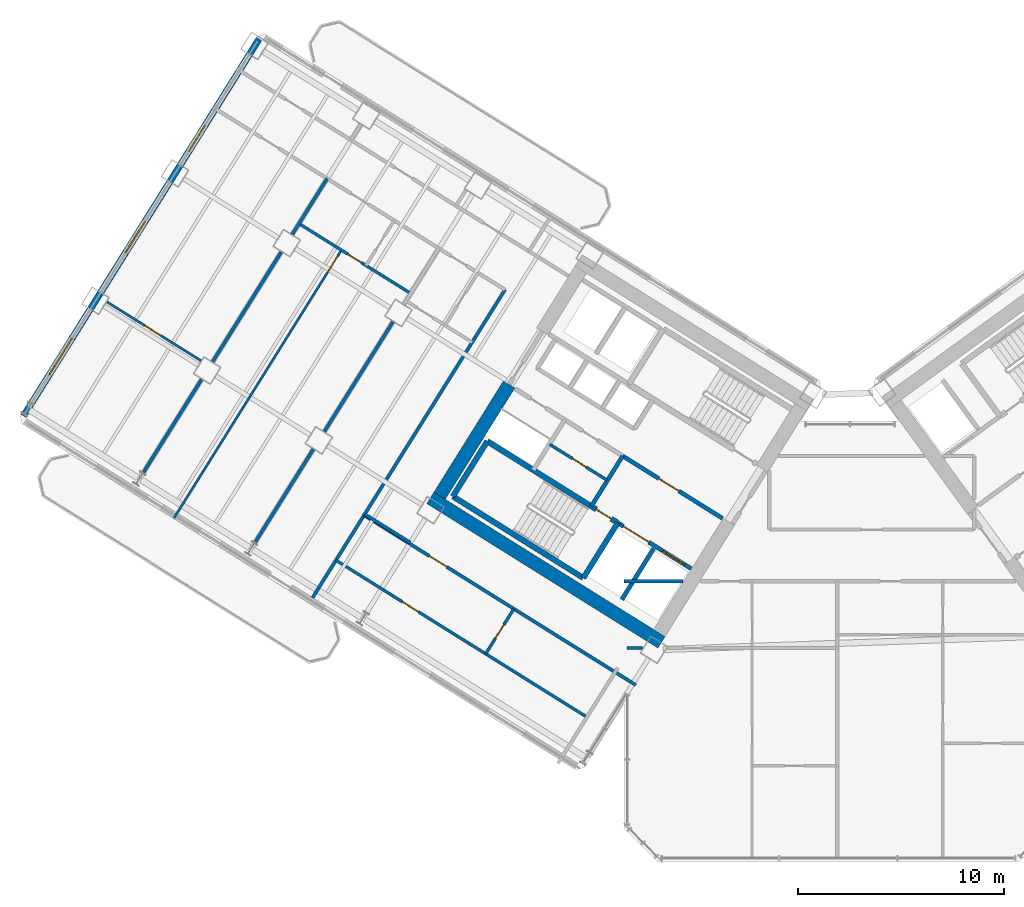
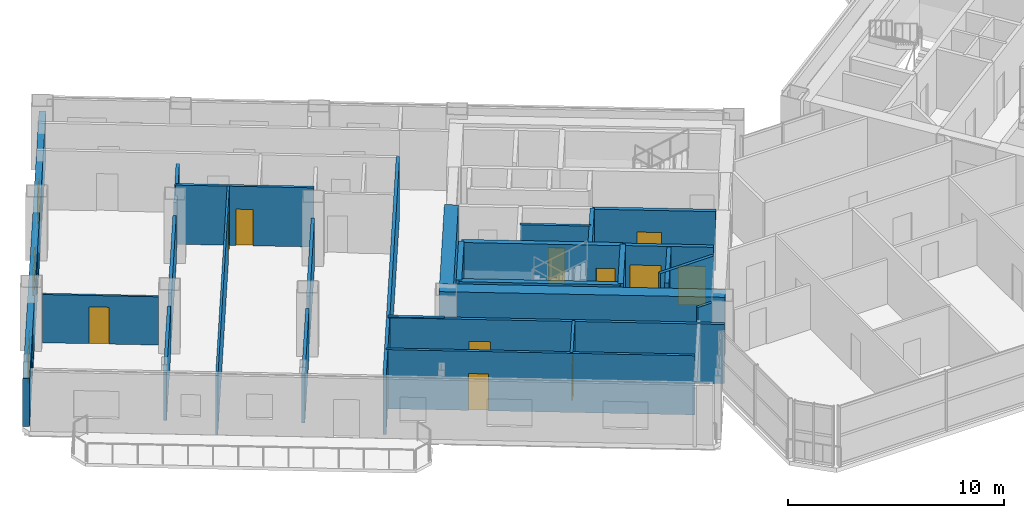
# One storey, part 15 of 28: 27 walls, 11 doors, 3 windows, 14 openings.
"""IFC4 building model written with IfcOpenShell, lengths in metres."""

from ifc_helpers import new_model, si_unit, direction, frame, frame_2d, origin, place, context, subcontext, project, spatial, rectangle, extrude, source, transform, mapped, material, layer, layer_set, type_object, element, fill, save


model = new_model("IFC4")

# Units and contexts
model_context = context("Model", 3, precision=1e-05, world=origin(), true_north=direction((0.0, 1.0)))
body_context = subcontext(model_context, "Body", "Model", "MODEL_VIEW")
ifc_project = project(units=[si_unit("LENGTHUNIT", "METRE"), si_unit("AREAUNIT", "SQUARE_METRE"), si_unit("VOLUMEUNIT", "CUBIC_METRE"), si_unit("PLANEANGLEUNIT", "RADIAN"), si_unit("MASSUNIT", "GRAM", prefix="KILO")], contexts=[model_context])

# Site, building, storey
site_placement = place(None, origin())
site = spatial("IfcSite", under=ifc_project, at=site_placement, CompositionType="ELEMENT")
building_placement = place(site_placement, origin())
building = spatial("IfcBuilding", under=site, at=building_placement, Name="Tlacorven Tower", CompositionType="ELEMENT")
storey_placement = place(building_placement, frame((0.0, 0.0, 34.800048828125)))
storey = spatial("IfcBuildingStorey", under=building, at=storey_placement, Name="L08", CompositionType="ELEMENT", Elevation=34.800048828125)

# Walls
ifc_material_1 = material(Name="Concrete C60/75", Category="concrete")
ifc_layer_1 = layer(ifc_material_1, 0.64990234375)
ifc_layer_set_1 = layer_set([ifc_layer_1], Name="Concrete C60/75")
wall_type_1 = type_object("IfcWallType", Name="WL-COR-650", PredefinedType="SHEAR", material=ifc_layer_set_1)
wall_1_placement = place(storey_placement, frame((33.40869140625, 12.449951171875, 0.0), z_axis=(0.0, 0.0, 1.0), x_axis=(-0.848051132073, 0.529914405721, 0.0)))
element("IfcWall", 1, at=wall_1_placement, inside=storey, type_object=wall_type_1, Name="L08 W core shear wall S2", PredefinedType="SHEAR", context=body_context, shape_type="SweptSolid", body=[
    extrude(rectangle(XDim=13.239990234375, YDim=0.64990234375, at=frame_2d((6.6201171875, 0.0))), origin(), (0.0, 0.0, 1.0), 3.349853515625),
])
wall_2_placement = place(storey_placement, frame((26.006591796875, 24.975830078125, 0.0), z_axis=(0.0, 0.0, 1.0), x_axis=(-0.529916319127, -0.848049936456, 0.0)))
element("IfcWall", 2, at=wall_2_placement, inside=storey, type_object=wall_type_1, Name="L08 W core end wall E2.2", PredefinedType="SHEAR", context=body_context, shape_type="SweptSolid", body=[
    extrude(rectangle(XDim=6.375, YDim=0.64990234375, at=frame_2d((3.1875, 0.0))), origin(), (0.0, 0.0, 1.0), 3.349853515625),
])
ifc_material_2 = material(Name="Gypsum plasterboard acoustic partition", Category="gypsum")
ifc_layer_2 = layer(ifc_material_2, 0.159912109375)
ifc_layer_set_2 = layer_set([ifc_layer_2], Name="Gypsum plasterboard acoustic partition")
wall_type_2 = type_object("IfcWallType", Name="WL-DEM-160", PredefinedType="PARTITIONING", material=ifc_layer_set_2)
wall_3_placement = place(storey_placement, frame((21.20556640625, 17.29248046875, 0.0), z_axis=(0.0, 0.0, 1.0), x_axis=(-0.848050851465, 0.529914854792, 0.0)))
element("IfcWall", 3, at=wall_3_placement, inside=storey, type_object=wall_type_2, Name="L08 partition 51", PredefinedType="PARTITIONING", context=body_context, shape_type="SweptSolid", body=[
    extrude(rectangle(XDim=2.60986328125, YDim=0.159912109375, at=frame_2d((1.304931640625, 0.0))), origin(), (0.0, 0.0, 1.0), 3.33984375),
])
wall_4_placement = place(storey_placement, frame((25.806884765625, 29.58154296875, 0.0), z_axis=(0.0, 0.0, 1.0), x_axis=(-0.529918119251, -0.84804881162, 0.0)))
element("IfcWall", 4, at=wall_4_placement, inside=storey, type_object=wall_type_2, Name="L08 partition 53", PredefinedType="PARTITIONING", context=body_context, shape_type="SweptSolid", body=[
    extrude(rectangle(XDim=17.64990234375, YDim=0.159912109375, at=frame_2d((8.824951171875, 0.0))), origin(), (0.0, 0.0, 1.0), 3.33984375),
])
wall_5_placement = place(storey_placement, frame((20.360595703125, 28.017822265625, 0.0), z_axis=(0.0, 0.0, 1.0), x_axis=(-0.529915015264, -0.848050751193, 0.0)))
element("IfcWall", 5, at=wall_5_placement, inside=storey, type_object=wall_type_2, Name="L08 WN Demising Wall 1", PredefinedType="PARTITIONING", context=body_context, shape_type="SweptSolid", body=[
    extrude(rectangle(XDim=6.27587890625, YDim=0.159912109375, at=frame_2d((3.137939453125, 0.0))), origin(), (0.0, 0.0, 1.0), 2.724853515625),
])
wall_6_placement = place(storey_placement, frame((16.4921875, 21.8271484375, 0.0), z_axis=(0.0, 0.0, 1.0), x_axis=(-0.529904608059, -0.848057254175, 0.0)))
element("IfcWall", 6, at=wall_6_placement, inside=storey, type_object=wall_type_2, Name="L08 WN Demising Wall 1", PredefinedType="PARTITIONING", context=body_context, shape_type="SweptSolid", body=[
    extrude(rectangle(XDim=5.350830078125, YDim=0.159912109375, at=frame_2d((2.67529296875, 0.0))), origin(), (0.0, 0.0, 1.0), 2.724853515625),
])
wall_7_placement = place(storey_placement, frame((17.165283203125, 34.9814453125, 0.0), z_axis=(0.0, 0.0, 1.0), x_axis=(-0.529930102756, -0.848041323399, 0.0)))
element("IfcWall", 7, at=wall_7_placement, inside=storey, type_object=wall_type_2, Name="L08 WN Demising Wall 2", PredefinedType="PARTITIONING", context=body_context, shape_type="SweptSolid", body=[
    extrude(rectangle(XDim=3.18798828125, YDim=0.159912109375, at=frame_2d((1.593994140625, 0.0))), origin(), (0.0, 0.0, 1.0), 2.724853515625),
])
wall_8_placement = place(storey_placement, frame((14.93310546875, 31.409423828125, 0.0), z_axis=(0.0, 0.0, 1.0), x_axis=(-0.529897533635, -0.848061674554, 0.0)))
element("IfcWall", 8, at=wall_8_placement, inside=storey, type_object=wall_type_2, Name="L08 WN Demising Wall 2", PredefinedType="PARTITIONING", context=body_context, shape_type="SweptSolid", body=[
    extrude(rectangle(XDim=6.276123046875, YDim=0.159912109375, at=frame_2d((3.13818359375, 0.0))), origin(), (0.0, 0.0, 1.0), 2.724853515625),
])
wall_9_placement = place(storey_placement, frame((11.064697265625, 25.218505859375, 0.0), z_axis=(0.0, 0.0, 1.0), x_axis=(-0.529904608059, -0.848057254175, 0.0)))
element("IfcWall", 9, at=wall_9_placement, inside=storey, type_object=wall_type_2, Name="L08 WN Demising Wall 2", PredefinedType="PARTITIONING", context=body_context, shape_type="SweptSolid", body=[
    extrude(rectangle(XDim=5.350830078125, YDim=0.159912109375, at=frame_2d((2.67529296875, 0.0))), origin(), (0.0, 0.0, 1.0), 2.724853515625),
])

# Wall, opening, door
wall_10_placement = place(storey_placement, frame((32.164306640625, 10.373779296875, 0.0), z_axis=(0.0, 0.0, 1.0), x_axis=(-0.848044107957, 0.529925646633, 0.0)))
wall_10 = element("IfcWall", 10, at=wall_10_placement, inside=storey, type_object=wall_type_2, Name="L08 partition 66", PredefinedType="PARTITIONING", context=body_context, shape_type="SweptSolid", body=[
    extrude(rectangle(XDim=15.570068359375, YDim=0.159912109375, at=frame_2d((7.78515625, 0.0))), origin(), (0.0, 0.0, 1.0), 3.33984375),
])
opening_1_placement = place(wall_10_placement, frame((10.830078125, 0.0, 0.0)))
opening_1 = element("IfcOpeningElement", 11, at=opening_1_placement, cuts=wall_10, Name="Opening D11", PredefinedType="OPENING", context=body_context, shape_type="SweptSolid", body=[
    extrude(rectangle(XDim=1.0, YDim=2.10009765625, at=frame_2d((0.5, 1.050048828125))), frame((0.0, 0.08984375, 0.0), z_axis=(0.0, -1.0, 0.0), x_axis=(1.0, 0.0, 0.0)), (0.0, 0.0, 1.0), 0.179931640625),
])
ifc_material_3 = material(Name="Fire-rated steel door assembly", Category="steel")
door_type_1 = type_object("IfcDoorType", Name="DR-FLT-FD60-1000", OperationType="NOTDEFINED", PredefinedType="DOOR", material=ifc_material_3)
shared_shape_1 = source(origin(), body_context, "Body", "SweptSolid", [
    extrude(rectangle(XDim=1.0, YDim=2.10009765625, at=frame_2d((0.5, 1.050048828125))), frame((0.0, 0.02490234375, 0.0), z_axis=(0.0, -1.0, 0.0), x_axis=(1.0, 0.0, 0.0)), (0.0, 0.0, 1.0), 0.050048828125),
])
door_1_placement = place(opening_1_placement, origin())
door_1 = element("IfcDoor", 12, at=door_1_placement, inside=storey, type_object=door_type_1, Name="L08 door 035", OperationType="SINGLE_SWING_LEFT", OverallHeight=2.10009765625, OverallWidth=1.0, PredefinedType="DOOR", context=body_context, shape_type="MappedRepresentation", body=[
    mapped(shared_shape_1, transform((0.0, 0.0, 0.0), scale=1.0)),
])
fill(opening_1, door_1)

# Wall
wall_11_placement = place(storey_placement, frame((31.60009765625, 15.419921875, 0.0), z_axis=(0.0, 0.0, 1.0), x_axis=(1.0, 0.0, 0.0)))
element("IfcWall", 13, at=wall_11_placement, inside=storey, type_object=wall_type_2, Name="L08 Knuckle Corridor South Wall", PredefinedType="PARTITIONING", context=body_context, shape_type="SweptSolid", body=[
    extrude(rectangle(XDim=2.8662109375, YDim=0.159912109375, at=frame_2d((1.43310546875, 0.0))), origin(), (0.0, 0.0, 1.0), 3.33984375),
])

# Wall, openings, windows
ifc_material_4 = material(Name="Precast concrete C45/55", Category="concrete")
ifc_layer_3 = layer(ifc_material_4, 0.320068359375)
ifc_layer_set_3 = layer_set([ifc_layer_3], Name="Precast concrete C45/55")
wall_type_3 = type_object("IfcWallType", Name="WL-EXT-320", PredefinedType="STANDARD", material=ifc_layer_set_3)
wall_12_placement = place(storey_placement, frame((2.41455078125, 23.452392578125, 0.0), z_axis=(0.0, 0.0, 1.0), x_axis=(0.52991049553, 0.848053575387, 0.0)))
wall_12 = element("IfcWall", 14, at=wall_12_placement, inside=storey, type_object=wall_type_3, Name="L08 Masonry-Frame Recessed Facade Wall 2", PredefinedType="STANDARD", context=body_context, shape_type="SweptSolid", body=[
    extrude(rectangle(XDim=21.58740234375, YDim=0.320068359375, at=frame_2d((10.793701171875, 0.0))), origin(), (0.0, 0.0, 1.0), 2.724853515625),
])
opening_2_placement = place(wall_12_placement, frame((2.356201171875, 0.0, 0.800048828125)))
opening_2 = element("IfcOpeningElement", 15, at=opening_2_placement, cuts=wall_12, Name="Opening WN04", PredefinedType="OPENING", context=body_context, shape_type="SweptSolid", body=[
    extrude(rectangle(XDim=2.10009765625, YDim=1.550048828125, at=frame_2d((1.050048828125, 0.77490234375))), frame((0.0, 0.169921875, 0.0), z_axis=(0.0, -1.0, 0.0), x_axis=(1.0, 0.0, 0.0)), (0.0, 0.0, 1.0), 0.340087890625),
])
opening_3_placement = place(wall_12_placement, frame((9.34375, 0.0, 0.85009765625)))
opening_3 = element("IfcOpeningElement", 16, at=opening_3_placement, cuts=wall_12, Name="Opening WN01", PredefinedType="OPENING", context=body_context, shape_type="SweptSolid", body=[
    extrude(rectangle(XDim=1.800048828125, YDim=1.5, at=frame_2d((0.89990234375, 0.75))), frame((0.0, 0.169921875, 0.0), z_axis=(0.0, -1.0, 0.0), x_axis=(1.0, 0.0, 0.0)), (0.0, 0.0, 1.0), 0.340087890625),
])
opening_4_placement = place(wall_12_placement, frame((15.15380859375, 0.0, 0.85009765625)))
opening_4 = element("IfcOpeningElement", 17, at=opening_4_placement, cuts=wall_12, Name="Opening WN02", PredefinedType="OPENING", context=body_context, shape_type="SweptSolid", body=[
    extrude(rectangle(XDim=1.5, YDim=1.5, at=frame_2d((0.75, 0.75))), frame((0.0, 0.169921875, 0.0), z_axis=(0.0, -1.0, 0.0), x_axis=(1.0, 0.0, 0.0)), (0.0, 0.0, 1.0), 0.340087890625),
])
ifc_material_5 = material(Name="Dark solar low-E double glazing in anodised aluminium frame", Category="aluminium")
window_type_1 = type_object("IfcWindowType", Name="WN-APT-2100X1750", PartitioningType="SINGLE_PANEL", PredefinedType="WINDOW", material=ifc_material_5)
shared_shape_2 = source(origin(), body_context, "Body", "SweptSolid", [
    extrude(rectangle(XDim=2.10009765625, YDim=1.550048828125, at=frame_2d((1.050048828125, 0.77490234375))), frame((0.0, 0.030029296875, 0.0), z_axis=(0.0, -1.0, 0.0), x_axis=(1.0, 0.0, 0.0)), (0.0, 0.0, 1.0), 0.06005859375),
])
window_1_placement = place(opening_2_placement, origin())
window_1 = element("IfcWindow", 18, at=window_1_placement, inside=storey, type_object=window_type_1, Name="L08 Recessed Masonry-Frame Window L08-02.1", OverallHeight=1.550048828125, OverallWidth=2.10009765625, PartitioningType="SINGLE_PANEL", PredefinedType="WINDOW", context=body_context, shape_type="MappedRepresentation", body=[
    mapped(shared_shape_2, transform((0.0, 0.0, 0.0), scale=1.0)),
])
fill(opening_2, window_1)
window_type_2 = type_object("IfcWindowType", Name="WN-APT-1800X1650", PartitioningType="SINGLE_PANEL", PredefinedType="WINDOW", material=ifc_material_5)
shared_shape_3 = source(origin(), body_context, "Body", "SweptSolid", [
    extrude(rectangle(XDim=1.800048828125, YDim=1.5, at=frame_2d((0.89990234375, 0.75))), frame((0.0, 0.030029296875, 0.0), z_axis=(0.0, -1.0, 0.0), x_axis=(1.0, 0.0, 0.0)), (0.0, 0.0, 1.0), 0.06005859375),
])
window_2_placement = place(opening_3_placement, origin())
window_2 = element("IfcWindow", 19, at=window_2_placement, inside=storey, type_object=window_type_2, Name="L08 Recessed Masonry-Frame Window L08-02.2", OverallHeight=1.5, OverallWidth=1.800048828125, PartitioningType="SINGLE_PANEL", PredefinedType="WINDOW", context=body_context, shape_type="MappedRepresentation", body=[
    mapped(shared_shape_3, transform((0.0, 0.0, 0.0), scale=1.0)),
])
fill(opening_3, window_2)
window_type_3 = type_object("IfcWindowType", Name="WN-APT-1500X1650", PartitioningType="SINGLE_PANEL", PredefinedType="WINDOW", material=ifc_material_5)
shared_shape_4 = source(origin(), body_context, "Body", "SweptSolid", [
    extrude(rectangle(XDim=1.5, YDim=1.5, at=frame_2d((0.75, 0.75))), frame((0.0, 0.030029296875, 0.0), z_axis=(0.0, -1.0, 0.0), x_axis=(1.0, 0.0, 0.0)), (0.0, 0.0, 1.0), 0.06005859375),
])
window_3_placement = place(opening_4_placement, origin())
window_3 = element("IfcWindow", 20, at=window_3_placement, inside=storey, type_object=window_type_3, Name="L08 Recessed Masonry-Frame Window L08-02.3", OverallHeight=1.5, OverallWidth=1.5, PartitioningType="SINGLE_PANEL", PredefinedType="WINDOW", context=body_context, shape_type="MappedRepresentation", body=[
    mapped(shared_shape_4, transform((0.0, 0.0, 0.0), scale=1.0)),
])
fill(opening_4, window_3)

# Wall, opening, door
ifc_material_6 = material(Name="Gypsum plasterboard partition", Category="gypsum")
ifc_layer_4 = layer(ifc_material_6, 0.110107421875)
ifc_layer_set_4 = layer_set([ifc_layer_4], Name="Gypsum plasterboard partition")
wall_type_4 = type_object("IfcWallType", Name="WL-INT-110", PredefinedType="PARTITIONING", material=ifc_layer_set_4)
wall_13_placement = place(storey_placement, frame((17.860595703125, 31.504638671875, 0.0), z_axis=(0.0, 0.0, 1.0), x_axis=(-0.529928839727, -0.848042112649, 0.0)))
wall_13 = element("IfcWall", 21, at=wall_13_placement, inside=storey, type_object=wall_type_4, Name="L08 partition 62", PredefinedType="PARTITIONING", context=body_context, shape_type="SweptSolid", body=[
    extrude(rectangle(XDim=15.340087890625, YDim=0.110107421875, at=frame_2d((7.669921875, 0.0))), origin(), (0.0, 0.0, 1.0), 3.33984375),
])
opening_5_placement = place(wall_13_placement, frame((0.35009765625, 0.0, 0.0)))
opening_5 = element("IfcOpeningElement", 22, at=opening_5_placement, cuts=wall_13, Name="Opening D12", PredefinedType="OPENING", context=body_context, shape_type="SweptSolid", body=[
    extrude(rectangle(XDim=0.919921875, YDim=2.080078125, at=frame_2d((0.4599609375, 1.0400390625))), frame((0.0, 0.06494140625, 0.0), z_axis=(0.0, -1.0, 0.0), x_axis=(1.0, 0.0, 0.0)), (0.0, 0.0, 1.0), 0.130126953125),
])
ifc_material_7 = material(Name="Powder-coated aluminium and timber door", Category="wood")
door_type_2 = type_object("IfcDoorType", Name="DR-INT-ROOM-0920", OperationType="NOTDEFINED", PredefinedType="DOOR", material=ifc_material_7)
shared_shape_5 = source(origin(), body_context, "Body", "SweptSolid", [
    extrude(rectangle(XDim=0.919921875, YDim=2.080078125, at=frame_2d((0.4599609375, 1.0400390625))), frame((0.0, 0.02490234375, 0.0), z_axis=(0.0, -1.0, 0.0), x_axis=(1.0, 0.0, 0.0)), (0.0, 0.0, 1.0), 0.050048828125),
])
door_2_placement = place(opening_5_placement, origin())
door_2 = element("IfcDoor", 23, at=door_2_placement, inside=storey, type_object=door_type_2, Name="L08 door 026", OperationType="SINGLE_SWING_RIGHT", OverallHeight=2.080078125, OverallWidth=0.919921875, PredefinedType="DOOR", context=body_context, shape_type="MappedRepresentation", body=[
    mapped(shared_shape_5, transform((0.0, 0.0, 0.0), scale=1.0)),
])
fill(opening_5, door_2)

wall_14_placement = place(storey_placement, frame((11.033203125, 26.134521484375, 0.0), z_axis=(0.0, 0.0, 1.0), x_axis=(-0.848044224181, 0.529925460639, 0.0)))
wall_14 = element("IfcWall", 24, at=wall_14_placement, inside=storey, type_object=wall_type_4, Name="L08 partition 63", PredefinedType="PARTITIONING", context=body_context, shape_type="SweptSolid", body=[
    extrude(rectangle(XDim=5.3759765625, YDim=0.110107421875, at=frame_2d((2.68798828125, 0.0))), origin(), (0.0, 0.0, 1.0), 2.724853515625),
])
opening_6_placement = place(wall_14_placement, frame((2.2880859375, 0.0, 0.0)))
opening_6 = element("IfcOpeningElement", 25, at=opening_6_placement, cuts=wall_14, Name="Opening D12", PredefinedType="OPENING", context=body_context, shape_type="SweptSolid", body=[
    extrude(rectangle(XDim=0.919921875, YDim=2.080078125, at=frame_2d((0.4599609375, 1.0400390625))), frame((0.0, 0.06494140625, 0.0), z_axis=(0.0, -1.0, 0.0), x_axis=(1.0, 0.0, 0.0)), (0.0, 0.0, 1.0), 0.130126953125),
])
door_3_placement = place(opening_6_placement, origin())
door_3 = element("IfcDoor", 26, at=door_3_placement, inside=storey, type_object=door_type_2, Name="L08 door 031", OperationType="SINGLE_SWING_LEFT", OverallHeight=2.080078125, OverallWidth=0.919921875, PredefinedType="DOOR", context=body_context, shape_type="MappedRepresentation", body=[
    mapped(shared_shape_5, transform((0.0, 0.0, 0.0), scale=1.0)),
])
fill(opening_6, door_3)

ifc_material_8 = material(Name="Moisture-resistant gypsum plumbing wall", Category="gypsum")
ifc_layer_5 = layer(ifc_material_8, 0.139892578125)
ifc_layer_set_5 = layer_set([ifc_layer_5], Name="Moisture-resistant gypsum plumbing wall")
wall_type_5 = type_object("IfcWallType", Name="WL-PLM-140", PredefinedType="PLUMBINGWALL", material=ifc_layer_set_5)
wall_15_placement = place(storey_placement, frame((30.766357421875, 20.3271484375, 0.0), z_axis=(0.0, 0.0, 1.0), x_axis=(-0.848052663127, 0.529911955482, 0.0)))
wall_15 = element("IfcWall", 27, at=wall_15_placement, inside=storey, type_object=wall_type_5, Name="L08 partition 23", PredefinedType="PLUMBINGWALL", context=body_context, shape_type="SweptSolid", body=[
    extrude(rectangle(XDim=3.27978515625, YDim=0.139892578125, at=frame_2d((1.639892578125, 0.0))), origin(), (0.0, 0.0, 1.0), 3.33984375),
])
opening_7_placement = place(wall_15_placement, frame((1.199951171875, 0.0, 0.0)))
opening_7 = element("IfcOpeningElement", 28, at=opening_7_placement, cuts=wall_15, Name="Opening D22", PredefinedType="OPENING", context=body_context, shape_type="SweptSolid", body=[
    extrude(rectangle(XDim=0.780029296875, YDim=2.050048828125, at=frame_2d((0.39013671875, 1.02490234375))), frame((0.0, 0.080078125, 0.0), z_axis=(0.0, -1.0, 0.0), x_axis=(1.0, 0.0, 0.0)), (0.0, 0.0, 1.0), 0.159912109375),
])
door_type_3 = type_object("IfcDoorType", Name="DR-INT-WET-0780", OperationType="NOTDEFINED", PredefinedType="DOOR", material=ifc_material_7)
shared_shape_6 = source(origin(), body_context, "Body", "SweptSolid", [
    extrude(rectangle(XDim=0.780029296875, YDim=2.050048828125, at=frame_2d((0.39013671875, 1.02490234375))), frame((0.0, 0.02490234375, 0.0), z_axis=(0.0, -1.0, 0.0), x_axis=(1.0, 0.0, 0.0)), (0.0, 0.0, 1.0), 0.050048828125),
])
door_4_placement = place(opening_7_placement, origin())
door_4 = element("IfcDoor", 29, at=door_4_placement, inside=storey, type_object=door_type_3, Name="L08 door 008", OperationType="SINGLE_SWING_LEFT", OverallHeight=2.050048828125, OverallWidth=0.780029296875, PredefinedType="DOOR", context=body_context, shape_type="MappedRepresentation", body=[
    mapped(shared_shape_6, transform((0.0, 0.0, 0.0), scale=1.0)),
])
fill(opening_7, door_4)

wall_16_placement = place(storey_placement, frame((21.2255859375, 29.40185546875, 0.0), z_axis=(0.0, 0.0, 1.0), x_axis=(-0.848039019877, 0.529933789039, 0.0)))
wall_16 = element("IfcWall", 30, at=wall_16_placement, inside=storey, type_object=wall_type_5, Name="L08 partition 60", PredefinedType="PLUMBINGWALL", context=body_context, shape_type="SweptSolid", body=[
    extrude(rectangle(XDim=6.400146484375, YDim=0.139892578125, at=frame_2d((3.2001953125, 0.0))), origin(), (0.0, 0.0, 1.0), 3.33984375),
])
opening_8_placement = place(wall_16_placement, frame((2.823974609375, 0.0, 0.0)))
opening_8 = element("IfcOpeningElement", 31, at=opening_8_placement, cuts=wall_16, Name="Opening D22", PredefinedType="OPENING", context=body_context, shape_type="SweptSolid", body=[
    extrude(rectangle(XDim=0.780029296875, YDim=2.050048828125, at=frame_2d((0.39013671875, 1.02490234375))), frame((0.0, 0.080078125, 0.0), z_axis=(0.0, -1.0, 0.0), x_axis=(1.0, 0.0, 0.0)), (0.0, 0.0, 1.0), 0.159912109375),
])
door_5_placement = place(opening_8_placement, origin())
door_5 = element("IfcDoor", 32, at=door_5_placement, inside=storey, type_object=door_type_3, Name="L08 door 028", OperationType="SINGLE_SWING_RIGHT", OverallHeight=2.050048828125, OverallWidth=0.780029296875, PredefinedType="DOOR", context=body_context, shape_type="MappedRepresentation", body=[
    mapped(shared_shape_6, transform((0.0, 0.0, 0.0), scale=1.0)),
])
fill(opening_8, door_5)

wall_17_placement = place(storey_placement, frame((29.72021484375, 8.85888671875, 0.0), z_axis=(0.0, 0.0, 1.0), x_axis=(-0.848049134363, 0.529917602752, 0.0)))
wall_17 = element("IfcWall", 33, at=wall_17_placement, inside=storey, type_object=wall_type_5, Name="L08 partition 68", PredefinedType="PLUMBINGWALL", context=body_context, shape_type="SweptSolid", body=[
    extrude(rectangle(XDim=14.300048828125, YDim=0.139892578125, at=frame_2d((7.14990234375, 0.0))), origin(), (0.0, 0.0, 1.0), 3.33984375),
])
opening_9_placement = place(wall_17_placement, frame((9.570068359375, 0.0, 0.0)))
opening_9 = element("IfcOpeningElement", 34, at=opening_9_placement, cuts=wall_17, Name="Opening D12", PredefinedType="OPENING", context=body_context, shape_type="SweptSolid", body=[
    extrude(rectangle(XDim=0.919921875, YDim=2.080078125, at=frame_2d((0.4599609375, 1.0400390625))), frame((0.0, 0.080078125, 0.0), z_axis=(0.0, -1.0, 0.0), x_axis=(1.0, 0.0, 0.0)), (0.0, 0.0, 1.0), 0.159912109375),
])
door_6_placement = place(opening_9_placement, origin())
door_6 = element("IfcDoor", 35, at=door_6_placement, inside=storey, type_object=door_type_2, Name="L08 door 036", OperationType="SINGLE_SWING_RIGHT", OverallHeight=2.080078125, OverallWidth=0.919921875, PredefinedType="DOOR", context=body_context, shape_type="MappedRepresentation", body=[
    mapped(shared_shape_5, transform((0.0, 0.0, 0.0), scale=1.0)),
])
fill(opening_9, door_6)

wall_18_placement = place(storey_placement, frame((26.236572265625, 14.077880859375, 0.0), z_axis=(0.0, 0.0, 1.0), x_axis=(-0.52995640672, -0.848024885824, 0.0)))
wall_18 = element("IfcWall", 36, at=wall_18_placement, inside=storey, type_object=wall_type_5, Name="L08 partition 69", PredefinedType="PLUMBINGWALL", context=body_context, shape_type="SweptSolid", body=[
    extrude(rectangle(XDim=2.579833984375, YDim=0.139892578125, at=frame_2d((1.2900390625, 0.0))), origin(), (0.0, 0.0, 1.0), 3.33984375),
])
opening_10_placement = place(wall_18_placement, frame((0.89990234375, 0.0, 0.0)))
opening_10 = element("IfcOpeningElement", 37, at=opening_10_placement, cuts=wall_18, Name="Opening D22", PredefinedType="OPENING", context=body_context, shape_type="SweptSolid", body=[
    extrude(rectangle(XDim=0.780029296875, YDim=2.050048828125, at=frame_2d((0.39013671875, 1.02490234375))), frame((0.0, 0.080078125, 0.0), z_axis=(0.0, -1.0, 0.0), x_axis=(1.0, 0.0, 0.0)), (0.0, 0.0, 1.0), 0.159912109375),
])
door_7_placement = place(opening_10_placement, origin())
door_7 = element("IfcDoor", 38, at=door_7_placement, inside=storey, type_object=door_type_3, Name="L08 door 037", OperationType="SINGLE_SWING_LEFT", OverallHeight=2.050048828125, OverallWidth=0.780029296875, PredefinedType="DOOR", context=body_context, shape_type="MappedRepresentation", body=[
    mapped(shared_shape_6, transform((0.0, 0.0, 0.0), scale=1.0)),
])
fill(opening_10, door_7)

# Wall
wall_19_placement = place(storey_placement, frame((31.739990234375, 12.169921875, 0.0), z_axis=(0.0, 0.0, 1.0), x_axis=(1.0, 0.0, 0.0)))
element("IfcWall", 39, at=wall_19_placement, inside=storey, type_object=wall_type_5, Name="L08 partition 79", PredefinedType="PLUMBINGWALL", context=body_context, shape_type="SweptSolid", body=[
    extrude(rectangle(XDim=0.75439453125, YDim=0.139892578125, at=frame_2d((0.377197265625, 0.0))), origin(), (0.0, 0.0, 1.0), 3.33984375),
])

# Wall, openings, doors
ifc_material_9 = material(Name="Concrete C40/50", Category="concrete")
ifc_layer_6 = layer(ifc_material_9, 0.199951171875)
ifc_layer_set_6 = layer_set([ifc_layer_6], Name="Concrete C40/50")
wall_type_6 = type_object("IfcWallType", Name="WL-SHF-200", PredefinedType="STANDARD", material=ifc_layer_set_6)
wall_20_placement = place(storey_placement, frame((34.84814453125, 16.03125, 0.0), z_axis=(0.0, 0.0, 1.0), x_axis=(-0.848044042236, 0.529925751807, 0.0)))
wall_20 = element("IfcWall", 40, at=wall_20_placement, inside=storey, type_object=wall_type_6, Name="L08 Core W Firefighting Lift Shaft Front Wall", PredefinedType="STANDARD", context=body_context, shape_type="SweptSolid", body=[
    extrude(rectangle(XDim=4.197998046875, YDim=0.199951171875, at=frame_2d((2.09912109375, 0.0))), origin(), (0.0, 0.0, 1.0), 3.33984375),
])
opening_11_placement = place(wall_20_placement, frame((0.347900390625, 0.0, 0.0)))
opening_11 = element("IfcOpeningElement", 41, at=opening_11_placement, cuts=wall_20, Name="Opening LD03", PredefinedType="OPENING", context=body_context, shape_type="SweptSolid", body=[
    extrude(rectangle(XDim=1.300048828125, YDim=2.199951171875, at=frame_2d((0.64990234375, 1.10009765625))), frame((0.0, 0.10986328125, 0.0), z_axis=(0.0, -1.0, 0.0), x_axis=(1.0, 0.0, 0.0)), (0.0, 0.0, 1.0), 0.219970703125),
])
opening_12_placement = place(wall_20_placement, frame((2.423095703125, 0.0, 0.0)))
opening_12 = element("IfcOpeningElement", 42, at=opening_12_placement, cuts=wall_20, Name="Opening LD04", PredefinedType="OPENING", context=body_context, shape_type="SweptSolid", body=[
    extrude(rectangle(XDim=1.449951171875, YDim=2.25, at=frame_2d((0.72509765625, 1.125))), frame((0.0, 0.10986328125, 0.0), z_axis=(0.0, -1.0, 0.0), x_axis=(1.0, 0.0, 0.0)), (0.0, 0.0, 1.0), 0.219970703125),
])
door_type_4 = type_object("IfcDoorType", Name="DR-LFT-SLID-1300", OperationType="DOUBLE_DOOR_SLIDING", PredefinedType="DOOR", material=ifc_material_3)
shared_shape_7 = source(origin(), body_context, "Body", "SweptSolid", [
    extrude(rectangle(XDim=1.300048828125, YDim=2.199951171875, at=frame_2d((0.64990234375, 1.10009765625))), frame((0.0, 0.02490234375, 0.0), z_axis=(0.0, -1.0, 0.0), x_axis=(1.0, 0.0, 0.0)), (0.0, 0.0, 1.0), 0.050048828125),
])
door_8_placement = place(opening_11_placement, origin())
door_8 = element("IfcDoor", 43, at=door_8_placement, inside=storey, type_object=door_type_4, Name="L08 Lift FFL-W1 Sliding Landing Door", OperationType="DOUBLE_DOOR_SLIDING", OverallHeight=2.199951171875, OverallWidth=1.300048828125, PredefinedType="DOOR", context=body_context, shape_type="MappedRepresentation", body=[
    mapped(shared_shape_7, transform((0.0, 0.0, 0.0), scale=1.0)),
])
fill(opening_11, door_8)
door_type_5 = type_object("IfcDoorType", Name="DR-LFT-SLID-1450", OperationType="DOUBLE_DOOR_SLIDING", PredefinedType="DOOR", material=ifc_material_3)
shared_shape_8 = source(origin(), body_context, "Body", "SweptSolid", [
    extrude(rectangle(XDim=1.449951171875, YDim=2.25, at=frame_2d((0.72509765625, 1.125))), frame((0.0, 0.02490234375, 0.0), z_axis=(0.0, -1.0, 0.0), x_axis=(1.0, 0.0, 0.0)), (0.0, 0.0, 1.0), 0.050048828125),
])
door_9_placement = place(opening_12_placement, origin())
door_9 = element("IfcDoor", 44, at=door_9_placement, inside=storey, type_object=door_type_5, Name="L08 Lift SVL-W1 Sliding Landing Door", OperationType="DOUBLE_DOOR_SLIDING", OverallHeight=2.25, OverallWidth=1.449951171875, PredefinedType="DOOR", context=body_context, shape_type="MappedRepresentation", body=[
    mapped(shared_shape_8, transform((0.0, 0.0, 0.0), scale=1.0)),
])
fill(opening_12, door_9)

# Wall, opening, door
wall_21_placement = place(storey_placement, frame((36.374267578125, 18.4736328125, 0.0), z_axis=(0.0, 0.0, 1.0), x_axis=(-0.848051071577, 0.529914502535, 0.0)))
wall_21 = element("IfcWall", 45, at=wall_21_placement, inside=storey, type_object=wall_type_6, Name="L08 Core W Smoke Lobby Wall", PredefinedType="STANDARD", context=body_context, shape_type="SweptSolid", body=[
    extrude(rectangle(XDim=5.718017578125, YDim=0.199951171875, at=frame_2d((2.85888671875, 0.0))), origin(), (0.0, 0.0, 1.0), 3.33984375),
])
opening_13_placement = place(wall_21_placement, frame((2.498046875, 0.0, 0.0)))
opening_13 = element("IfcOpeningElement", 46, at=opening_13_placement, cuts=wall_21, Name="Opening D09", PredefinedType="OPENING", context=body_context, shape_type="SweptSolid", body=[
    extrude(rectangle(XDim=1.14990234375, YDim=2.10009765625, at=frame_2d((0.574951171875, 1.050048828125))), frame((0.0, 0.10986328125, 0.0), z_axis=(0.0, -1.0, 0.0), x_axis=(1.0, 0.0, 0.0)), (0.0, 0.0, 1.0), 0.219970703125),
])
door_type_6 = type_object("IfcDoorType", Name="DR-FFL-FD60-1150", OperationType="NOTDEFINED", PredefinedType="DOOR", material=ifc_material_3)
shared_shape_9 = source(origin(), body_context, "Body", "SweptSolid", [
    extrude(rectangle(XDim=1.14990234375, YDim=2.10009765625, at=frame_2d((0.574951171875, 1.050048828125))), frame((0.0, 0.02490234375, 0.0), z_axis=(0.0, -1.0, 0.0), x_axis=(1.0, 0.0, 0.0)), (0.0, 0.0, 1.0), 0.050048828125),
])
door_10_placement = place(opening_13_placement, origin())
door_10 = element("IfcDoor", 47, at=door_10_placement, inside=storey, type_object=door_type_6, Name="L08 Firefighting Lobby W Fire Door", OperationType="SINGLE_SWING_RIGHT", OverallHeight=2.10009765625, OverallWidth=1.14990234375, PredefinedType="DOOR", context=body_context, shape_type="MappedRepresentation", body=[
    mapped(shared_shape_9, transform((0.0, 0.0, 0.0), scale=1.0)),
])
fill(opening_13, door_10)

# Walls
wall_22_placement = place(storey_placement, frame((33.02880859375, 17.003173828125, 0.0), z_axis=(0.0, 0.0, 1.0), x_axis=(-0.529916267533, -0.848049968695, 0.0)))
element("IfcWall", 48, at=wall_22_placement, inside=storey, type_object=wall_type_6, Name="L08 partition 14", PredefinedType="STANDARD", context=body_context, shape_type="SweptSolid", body=[
    extrude(rectangle(XDim=2.919921875, YDim=0.199951171875, at=frame_2d((1.4599609375, 0.0))), origin(), (0.0, 0.0, 1.0), 3.33984375),
])
wall_23_placement = place(storey_placement, frame((31.525146484375, 21.503662109375, 0.0), z_axis=(0.0, 0.0, 1.0), x_axis=(-0.529907497854, -0.848055448493, 0.0)))
element("IfcWall", 49, at=wall_23_placement, inside=storey, type_object=wall_type_6, Name="L08 partition 20", PredefinedType="STANDARD", context=body_context, shape_type="SweptSolid", body=[
    extrude(rectangle(XDim=2.8798828125, YDim=0.199951171875, at=frame_2d((1.43994140625, 0.0))), origin(), (0.0, 0.0, 1.0), 3.33984375),
])
ifc_material_10 = material(Name="Concrete C50/60", Category="concrete")
ifc_layer_7 = layer(ifc_material_10, 0.260009765625)
ifc_layer_set_7 = layer_set([ifc_layer_7], Name="Concrete C50/60")
wall_type_7 = type_object("IfcWallType", Name="WL-STW-260", PredefinedType="SHEAR", material=ifc_layer_set_7)
wall_24_placement = place(storey_placement, frame((29.60498046875, 15.581298828125, 0.0), z_axis=(0.0, 0.0, 1.0), x_axis=(-0.848036911448, 0.529937163087, 0.0)))
element("IfcWall", 50, at=wall_24_placement, inside=storey, type_object=wall_type_7, Name="L08 Stair W1 Far Shear Wall", PredefinedType="SHEAR", context=body_context, shape_type="SweptSolid", body=[
    extrude(rectangle(XDim=7.4599609375, YDim=0.260009765625, at=frame_2d((3.72998046875, 0.0))), origin(), (0.0, 0.0, 1.0), 3.349853515625),
])

# Wall, opening, door
wall_25_placement = place(storey_placement, frame((31.279541015625, 18.26123046875, 0.0), z_axis=(0.0, 0.0, 1.0), x_axis=(-0.848051618787, 0.529913626805, 0.0)))
wall_25 = element("IfcWall", 51, at=wall_25_placement, inside=storey, type_object=wall_type_7, Name="L08 Stair W1 Lobby Shear Wall", PredefinedType="SHEAR", context=body_context, shape_type="SweptSolid", body=[
    extrude(rectangle(XDim=7.4599609375, YDim=0.260009765625, at=frame_2d((3.72998046875, 0.0))), origin(), (0.0, 0.0, 1.0), 3.349853515625),
])
opening_14_placement = place(wall_25_placement, frame((0.360107421875, 0.0, 0.0)))
opening_14 = element("IfcOpeningElement", 52, at=opening_14_placement, cuts=wall_25, Name="Opening D19", PredefinedType="OPENING", context=body_context, shape_type="SweptSolid", body=[
    extrude(rectangle(XDim=0.860107421875, YDim=2.050048828125, at=frame_2d((0.43017578125, 1.02490234375))), frame((0.0, 0.14013671875, 0.0), z_axis=(0.0, -1.0, 0.0), x_axis=(1.0, 0.0, 0.0)), (0.0, 0.0, 1.0), 0.280029296875),
])
door_type_7 = type_object("IfcDoorType", Name="DR-RSR-FD60-0860", OperationType="NOTDEFINED", PredefinedType="DOOR", material=ifc_material_3)
shared_shape_10 = source(origin(), body_context, "Body", "SweptSolid", [
    extrude(rectangle(XDim=0.860107421875, YDim=2.050048828125, at=frame_2d((0.43017578125, 1.02490234375))), frame((0.0, 0.02490234375, 0.0), z_axis=(0.0, -1.0, 0.0), x_axis=(1.0, 0.0, 0.0)), (0.0, 0.0, 1.0), 0.050048828125),
])
door_11_placement = place(opening_14_placement, frame((0.860107421875, 0.0, 0.0), z_axis=(0.0, 0.0, 1.0), x_axis=(-1.0, 0.0, 0.0)))
door_11 = element("IfcDoor", 53, at=door_11_placement, inside=storey, type_object=door_type_7, Name="L08 Exit Stair W1 Fire Door", OperationType="SINGLE_SWING_LEFT", OverallHeight=2.050048828125, OverallWidth=0.860107421875, PredefinedType="DOOR", context=body_context, shape_type="MappedRepresentation", body=[
    mapped(shared_shape_10, transform((0.0, 0.0, 0.0), scale=1.0)),
])
fill(opening_14, door_11)

# Walls
wall_26_placement = place(storey_placement, frame((31.2880859375, 18.255859375, 0.0), z_axis=(0.0, 0.0, 1.0), x_axis=(-0.529943379326, -0.848033026897, 0.0)))
element("IfcWall", 54, at=wall_26_placement, inside=storey, type_object=wall_type_7, Name="L08 Stair W1 West Shear Wall", PredefinedType="SHEAR", context=body_context, shape_type="SweptSolid", body=[
    extrude(rectangle(XDim=3.159912109375, YDim=0.260009765625, at=frame_2d((1.580078125, 0.0))), origin(), (0.0, 0.0, 1.0), 3.349853515625),
])
wall_27_placement = place(storey_placement, frame((24.944580078125, 22.2197265625, 0.0), z_axis=(0.0, 0.0, 1.0), x_axis=(-0.529908658664, -0.84805472316, 0.0)))
element("IfcWall", 55, at=wall_27_placement, inside=storey, type_object=wall_type_7, Name="L08 Stair W1 East Shear Wall", PredefinedType="SHEAR", context=body_context, shape_type="SweptSolid", body=[
    extrude(rectangle(XDim=3.16015625, YDim=0.260009765625, at=frame_2d((1.580078125, 0.0))), origin(), (0.0, 0.0, 1.0), 3.349853515625),
])

save(model, "model.ifc")
